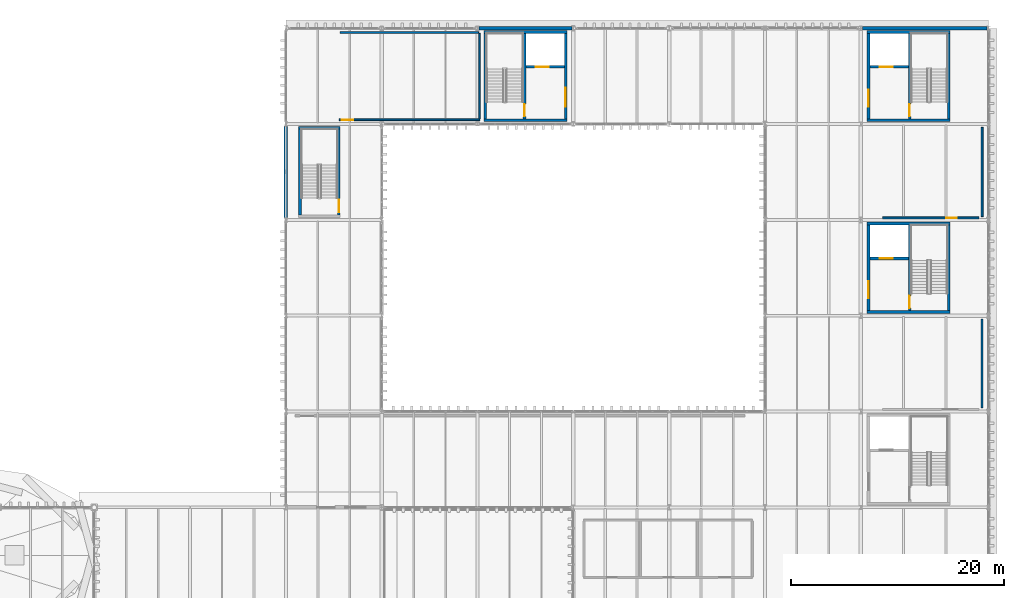
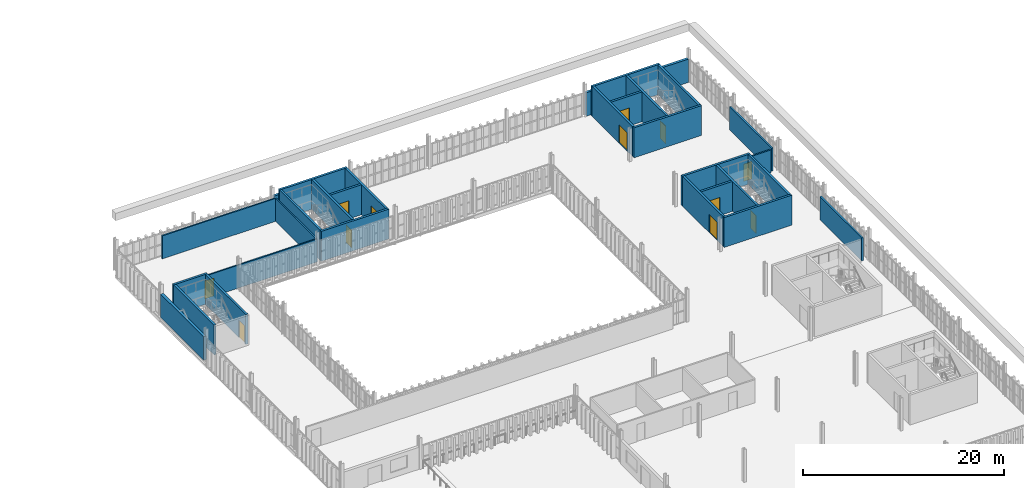
# One storey, part 91 of 102: 30 walls, 12 doors, 12 openings.
"""IFC4 building model written with IfcOpenShell, lengths in metres."""

from ifc_helpers import new_model, si_unit, direction, frame, frame_2d, origin, place, context, subcontext, project, spatial, rectangle, extrude, material, layer, layer_set, type_object, element, fill, save


model = new_model("IFC4")

# Units and contexts
model_context = context("Model", 3, precision=1e-05, world=origin(), true_north=direction((0.0, 1.0)))
body_context = subcontext(model_context, "Body", "Model", "MODEL_VIEW")
ifc_project = project(units=[si_unit("LENGTHUNIT", "METRE"), si_unit("AREAUNIT", "SQUARE_METRE"), si_unit("VOLUMEUNIT", "CUBIC_METRE"), si_unit("PLANEANGLEUNIT", "RADIAN"), si_unit("MASSUNIT", "GRAM", prefix="KILO")], contexts=[model_context])

# Site, building, storey
site_placement = place(None, origin())
site = spatial("IfcSite", under=ifc_project, at=site_placement, CompositionType="ELEMENT")
building_placement = place(site_placement, origin())
building = spatial("IfcBuilding", under=site, at=building_placement, Name="Barlavento Convention Centre", CompositionType="ELEMENT")
storey_placement = place(building_placement, frame((0.0, 0.0, 22.800048828125)))
storey = spatial("IfcBuildingStorey", under=building, at=storey_placement, Name="L04", CompositionType="ELEMENT", Elevation=22.800048828125)

# Wall, opening, door
ifc_material_1 = material(Name="Acoustic double stud and gypsum board")
ifc_layer_1 = layer(ifc_material_1, 0.18505859375)
ifc_layer_set_1 = layer_set([ifc_layer_1], Name="ARC-WL-ACOU-185")
wall_type_1 = type_object("IfcWallType", Name="ARC-WL-ACOU-185", PredefinedType="PARTITIONING", material=ifc_layer_set_1)
wall_1_placement = place(storey_placement, frame((182.06005859375, 81.199951171875, 0.0), z_axis=(0.0, 0.0, 1.0), x_axis=(1.0, 0.0, 0.0)))
wall_1 = element("IfcWall", 1, at=wall_1_placement, inside=storey, type_object=wall_type_1, Name="L04 interior wall PT-01", PredefinedType="PARTITIONING", context=body_context, shape_type="SweptSolid", body=[
    extrude(rectangle(XDim=9.0400390625, YDim=0.18505859375, at=frame_2d((4.52001953125, 0.0))), origin(), (0.0, 0.0, 1.0), 2.800048828125),
])
opening_1_placement = place(wall_1_placement, frame((5.949951171875, 0.0, 0.0)))
opening_1 = element("IfcOpeningElement", 2, at=opening_1_placement, cuts=wall_1, Name="Opening ID-08", PredefinedType="OPENING", context=body_context, shape_type="SweptSolid", body=[
    extrude(rectangle(XDim=0.97998046875, YDim=2.1201171875, at=frame_2d((0.489990234375, 1.06005859375))), frame((0.0, 0.1025390625, 0.0), z_axis=(0.0, -1.0, 0.0), x_axis=(1.0, 0.0, 0.0)), (0.0, 0.0, 1.0), 0.205078125),
])
ifc_material_2 = material(Name="Timber veneer acoustic core", Category="wood")
door_type_1 = type_object("IfcDoorType", Name="ARC-DR-ROOM-980X2120", OperationType="NOTDEFINED", PredefinedType="DOOR", material=ifc_material_2)
door_1_placement = place(opening_1_placement, origin())
door_1 = element("IfcDoor", 3, at=door_1_placement, inside=storey, type_object=door_type_1, Name="DR-INT-L04-0241 L04 interior door ID-08", OperationType="SINGLE_SWING_LEFT", OverallHeight=2.1201171875, OverallWidth=0.97998046875, PredefinedType="DOOR", context=body_context, shape_type="SweptSolid", body=[
    extrude(rectangle(XDim=0.97998046875, YDim=2.1201171875, at=frame_2d((0.489990234375, 1.06005859375))), frame((0.0, 0.02490234375, 0.0), z_axis=(0.0, -1.0, 0.0), x_axis=(1.0, 0.0, 0.0)), (0.0, 0.0, 1.0), 0.050048828125),
])
fill(opening_1, door_1)

# Walls
wall_2_placement = place(storey_placement, frame((191.39990234375, 81.31103515625, 0.0), z_axis=(0.0, 0.0, 1.0), x_axis=(0.0, 1.0, 0.0)))
element("IfcWall", 4, at=wall_2_placement, inside=storey, type_object=wall_type_1, Name="L04 interior wall PT-01", PredefinedType="PARTITIONING", context=body_context, shape_type="SweptSolid", body=[
    extrude(rectangle(XDim=8.3779296875, YDim=0.18505859375, at=frame_2d((4.18896484375, 0.0))), origin(), (0.0, 0.0, 1.0), 2.800048828125),
])
ifc_material_3 = material(Name="Glazed white architectural terracotta on Concrete C40/50", Category="masonry")
ifc_layer_2 = layer(ifc_material_3, 0.2900390625)
ifc_layer_set_2 = layer_set([ifc_layer_2], Name="ARC-WL-EXT-290")
wall_type_2 = type_object("IfcWallType", Name="ARC-WL-EXT-290", PredefinedType="SOLIDWALL", material=ifc_layer_set_2)
wall_3_placement = place(storey_placement, frame((144.14501953125, 99.0, 0.0), z_axis=(0.0, 0.0, 1.0), x_axis=(1.0, 0.0, 0.0)))
element("IfcWall", 5, at=wall_3_placement, inside=storey, type_object=wall_type_2, Name="L04 exterior wall EW02", PredefinedType="SOLIDWALL", context=body_context, shape_type="SweptSolid", body=[
    extrude(rectangle(XDim=8.7099609375, YDim=0.2900390625, at=frame_2d((4.35498046875, 0.0))), origin(), (0.0, 0.0, 1.0), 2.849853515625),
])
wall_4_placement = place(storey_placement, frame((180.14501953125, 99.0, 0.0), z_axis=(0.0, 0.0, 1.0), x_axis=(1.0, 0.0, 0.0)))
element("IfcWall", 6, at=wall_4_placement, inside=storey, type_object=wall_type_2, Name="L04 exterior wall EW02", PredefinedType="SOLIDWALL", context=body_context, shape_type="SweptSolid", body=[
    extrude(rectangle(XDim=11.7099609375, YDim=0.2900390625, at=frame_2d((5.85498046875, 0.0))), origin(), (0.0, 0.0, 1.0), 2.849853515625),
])
ifc_material_4 = material(Name="Macau dark grey granite cladding on Concrete C40/50", Category="masonry")
ifc_layer_3 = layer(ifc_material_4, 0.320068359375)
ifc_layer_set_3 = layer_set([ifc_layer_3], Name="ARC-WL-EXT-320")
wall_type_3 = type_object("IfcWallType", Name="ARC-WL-EXT-320", PredefinedType="SOLIDWALL", material=ifc_layer_set_3)
wall_5_placement = place(storey_placement, frame((126.0, 81.195068359375, 0.0), z_axis=(0.0, 0.0, 1.0), x_axis=(0.0, 1.0, 0.0)))
element("IfcWall", 7, at=wall_5_placement, inside=storey, type_object=wall_type_3, Name="L04 exterior wall EW01", PredefinedType="SOLIDWALL", context=body_context, shape_type="SweptSolid", body=[
    extrude(rectangle(XDim=8.5849609375, YDim=0.320068359375, at=frame_2d((4.29248046875, 0.0))), origin(), (0.0, 0.0, 1.0), 2.849853515625),
])
ifc_material_5 = material(Name="Concrete C40/50", Category="concrete")
ifc_layer_4 = layer(ifc_material_5, 0.199951171875)
ifc_layer_set_4 = layer_set([ifc_layer_4], Name="ARC-WL-FIRE-200")
wall_type_4 = type_object("IfcWallType", Name="ARC-WL-FIRE-200", PredefinedType="SOLIDWALL", material=ifc_layer_set_4)
wall_6_placement = place(storey_placement, frame((191.39990234375, 63.320068359375, 0.0), z_axis=(0.0, 0.0, 1.0), x_axis=(0.0, 1.0, 0.0)))
element("IfcWall", 8, at=wall_6_placement, inside=storey, type_object=wall_type_4, Name="L04 interior wall FW-01", PredefinedType="SOLIDWALL", context=body_context, shape_type="SweptSolid", body=[
    extrude(rectangle(XDim=8.35986328125, YDim=0.199951171875, at=frame_2d((4.179931640625, 0.0))), origin(), (0.0, 0.0, 1.0), 2.800048828125),
])

# Wall, opening, door
ifc_material_6 = material(Name="Metal stud acoustic partition")
ifc_layer_5 = layer(ifc_material_6, 0.155029296875)
ifc_layer_set_5 = layer_set([ifc_layer_5], Name="ARC-WL-PART-155")
wall_type_5 = type_object("IfcWallType", Name="ARC-WL-PART-155", PredefinedType="PARTITIONING", material=ifc_layer_set_5)
wall_7_placement = place(storey_placement, frame((131.0, 90.39990234375, 0.0), z_axis=(0.0, 0.0, 1.0), x_axis=(1.0, 0.0, 0.0)))
wall_7 = element("IfcWall", 9, at=wall_7_placement, inside=storey, type_object=wall_type_5, Name="L04 interior wall PT-03", PredefinedType="PARTITIONING", context=body_context, shape_type="SweptSolid", body=[
    extrude(rectangle(XDim=13.199951171875, YDim=0.155029296875, at=frame_2d((6.60009765625, 0.0))), origin(), (0.0, 0.0, 1.0), 2.800048828125),
])
opening_2_placement = place(wall_7_placement, frame((0.25, 0.0, 0.0)))
opening_2 = element("IfcOpeningElement", 10, at=opening_2_placement, cuts=wall_7, Name="Opening ID-06", PredefinedType="OPENING", context=body_context, shape_type="SweptSolid", body=[
    extrude(rectangle(XDim=1.080078125, YDim=2.179931640625, at=frame_2d((0.5400390625, 1.08984375))), frame((0.0, 0.08740234375, 0.0), z_axis=(0.0, -1.0, 0.0), x_axis=(1.0, 0.0, 0.0)), (0.0, 0.0, 1.0), 0.175048828125),
])
door_type_2 = type_object("IfcDoorType", Name="ARC-DR-ROOM-1080X2180", OperationType="NOTDEFINED", PredefinedType="DOOR", material=ifc_material_2)
door_2_placement = place(opening_2_placement, origin())
door_2 = element("IfcDoor", 11, at=door_2_placement, inside=storey, type_object=door_type_2, Name="DR-INT-L04-0239 L04 interior door ID-06", OperationType="SINGLE_SWING_RIGHT", OverallHeight=2.179931640625, OverallWidth=1.080078125, PredefinedType="DOOR", context=body_context, shape_type="SweptSolid", body=[
    extrude(rectangle(XDim=1.080078125, YDim=2.179931640625, at=frame_2d((0.5400390625, 1.08984375))), frame((0.0, 0.02490234375, 0.0), z_axis=(0.0, -1.0, 0.0), x_axis=(1.0, 0.0, 0.0)), (0.0, 0.0, 1.0), 0.050048828125),
])
fill(opening_2, door_2)

# Walls
wall_8_placement = place(storey_placement, frame((131.093017578125, 98.60009765625, 0.0), z_axis=(0.0, 0.0, 1.0), x_axis=(1.0, 0.0, 0.0)))
element("IfcWall", 12, at=wall_8_placement, inside=storey, type_object=wall_type_5, Name="L04 interior wall PT-03", PredefinedType="PARTITIONING", context=body_context, shape_type="SweptSolid", body=[
    extrude(rectangle(XDim=13.013916015625, YDim=0.155029296875, at=frame_2d((6.5068359375, 0.0))), origin(), (0.0, 0.0, 1.0), 2.800048828125),
])
wall_9_placement = place(storey_placement, frame((144.199951171875, 90.492919921875, 0.0), z_axis=(0.0, 0.0, 1.0), x_axis=(0.0, 1.0, 0.0)))
element("IfcWall", 13, at=wall_9_placement, inside=storey, type_object=wall_type_5, Name="L04 interior wall PT-03", PredefinedType="PARTITIONING", context=body_context, shape_type="SweptSolid", body=[
    extrude(rectangle(XDim=8.01416015625, YDim=0.155029296875, at=frame_2d((4.007080078125, 0.0))), origin(), (0.0, 0.0, 1.0), 2.800048828125),
])

# Wall, opening, door
ifc_material_7 = material(Name="Concrete C50/60", Category="concrete")
ifc_layer_6 = layer(ifc_material_7, 0.25)
ifc_layer_set_6 = layer_set([ifc_layer_6], Name="STR-WL-CORE-250")
wall_type_6 = type_object("IfcWallType", Name="STR-WL-CORE-250", PredefinedType="SHEAR", material=ifc_layer_set_6)
wall_10_placement = place(storey_placement, frame((180.72509765625, 72.469970703125, 0.0), z_axis=(0.0, 0.0, 1.0), x_axis=(0.0, 1.0, 0.0)))
wall_10 = element("IfcWall", 14, at=wall_10_placement, inside=storey, type_object=wall_type_6, Name="L04 interior wall CW-02", PredefinedType="SHEAR", context=body_context, shape_type="SweptSolid", body=[
    extrude(rectangle(XDim=8.06005859375, YDim=0.25, at=frame_2d((4.030029296875, 0.0))), origin(), (0.0, 0.0, 1.0), 3.639892578125),
])
opening_3_placement = place(wall_10_placement, frame((1.14990234375, 0.0, 0.0)))
opening_3 = element("IfcOpeningElement", 15, at=opening_3_placement, cuts=wall_10, Name="Opening FD-02", PredefinedType="OPENING", context=body_context, shape_type="SweptSolid", body=[
    extrude(rectangle(XDim=1.60009765625, YDim=2.199951171875, at=frame_2d((0.800048828125, 1.10009765625))), frame((0.0, 0.135009765625, 0.0), z_axis=(0.0, -1.0, 0.0), x_axis=(1.0, 0.0, 0.0)), (0.0, 0.0, 1.0), 0.27001953125),
])
ifc_material_8 = material(Name="Painted galvanized steel", Category="steel")
door_type_3 = type_object("IfcDoorType", Name="ARC-DR-FIRE-1600X2200", OperationType="DOUBLE_DOOR_SINGLE_SWING", PredefinedType="DOOR", material=ifc_material_8)
door_3_placement = place(opening_3_placement, origin())
door_3 = element("IfcDoor", 16, at=door_3_placement, inside=storey, type_object=door_type_3, Name="DR-INT-L04-0114 L04 LP5 lobby fire door", OperationType="DOUBLE_DOOR_SINGLE_SWING", OverallHeight=2.199951171875, OverallWidth=1.60009765625, PredefinedType="DOOR", context=body_context, shape_type="SweptSolid", body=[
    extrude(rectangle(XDim=1.60009765625, YDim=2.199951171875, at=frame_2d((0.800048828125, 1.10009765625))), frame((0.0, 0.02490234375, 0.0), z_axis=(0.0, -1.0, 0.0), x_axis=(1.0, 0.0, 0.0)), (0.0, 0.0, 1.0), 0.050048828125),
])
fill(opening_3, door_3)

# Walls
wall_11_placement = place(storey_placement, frame((188.27490234375, 72.469970703125, 0.0), z_axis=(0.0, 0.0, 1.0), x_axis=(0.0, 1.0, 0.0)))
element("IfcWall", 17, at=wall_11_placement, inside=storey, type_object=wall_type_6, Name="L04 interior wall CW-02", PredefinedType="SHEAR", context=body_context, shape_type="SweptSolid", body=[
    extrude(rectangle(XDim=8.06005859375, YDim=0.25, at=frame_2d((4.030029296875, 0.0))), origin(), (0.0, 0.0, 1.0), 3.639892578125),
])
for number, where, z_axis, x_axis, name in (
    (18, (180.60009765625, 72.344970703125, 0.0), (0.0, 0.0, 1.0), (1.0, 0.0, 0.0), "L04 interior wall CW-02"),
    (19, (180.60009765625, 80.655029296875, 0.0), (0.0, 0.0, 1.0), (1.0, 0.0, 0.0), "L04 interior wall CW-02"),
):
    element("IfcWall", number, at=place(storey_placement, frame(where, z_axis=z_axis, x_axis=x_axis)), inside=storey, type_object=wall_type_6, Name=name, PredefinedType="SHEAR", context=body_context, shape_type="SweptSolid", body=[
        extrude(rectangle(XDim=7.7998046875, YDim=0.25, at=frame_2d((3.89990234375, 0.0))), origin(), (0.0, 0.0, 1.0), 3.639892578125),
    ])

# Wall, opening, door
wall_12_placement = place(storey_placement, frame((184.5849609375, 72.469970703125, 0.0), z_axis=(0.0, 0.0, 1.0), x_axis=(0.0, 1.0, 0.0)))
wall_12 = element("IfcWall", 20, at=wall_12_placement, inside=storey, type_object=wall_type_6, Name="L04 interior wall CW-02", PredefinedType="SHEAR", context=body_context, shape_type="SweptSolid", body=[
    extrude(rectangle(XDim=8.06005859375, YDim=0.25, at=frame_2d((4.030029296875, 0.0))), origin(), (0.0, 0.0, 1.0), 3.639892578125),
])
opening_4_placement = place(wall_12_placement, frame((0.25, 0.0, 0.0)))
opening_4 = element("IfcOpeningElement", 21, at=opening_4_placement, cuts=wall_12, Name="Opening FD-03", PredefinedType="OPENING", context=body_context, shape_type="SweptSolid", body=[
    extrude(rectangle(XDim=1.14990234375, YDim=2.14990234375, at=frame_2d((0.574951171875, 1.074951171875))), frame((0.0, 0.135009765625, 0.0), z_axis=(0.0, -1.0, 0.0), x_axis=(1.0, 0.0, 0.0)), (0.0, 0.0, 1.0), 0.27001953125),
])
door_type_4 = type_object("IfcDoorType", Name="ARC-DR-FIRE-1150X2150", OperationType="NOTDEFINED", PredefinedType="DOOR", material=ifc_material_8)
door_4_placement = place(opening_4_placement, origin())
door_4 = element("IfcDoor", 22, at=door_4_placement, inside=storey, type_object=door_type_4, Name="DR-INT-L04-0112 L04 ST07 stair fire door FD-03", OperationType="SINGLE_SWING_RIGHT", OverallHeight=2.14990234375, OverallWidth=1.14990234375, PredefinedType="DOOR", context=body_context, shape_type="SweptSolid", body=[
    extrude(rectangle(XDim=1.14990234375, YDim=2.14990234375, at=frame_2d((0.574951171875, 1.074951171875))), frame((0.0, 0.02490234375, 0.0), z_axis=(0.0, -1.0, 0.0), x_axis=(1.0, 0.0, 0.0)), (0.0, 0.0, 1.0), 0.050048828125),
])
fill(opening_4, door_4)

wall_13_placement = place(storey_placement, frame((180.85009765625, 77.3701171875, 0.0), z_axis=(0.0, 0.0, 1.0), x_axis=(1.0, 0.0, 0.0)))
wall_13 = element("IfcWall", 23, at=wall_13_placement, inside=storey, type_object=wall_type_6, Name="L04 interior wall CW-02", PredefinedType="SHEAR", context=body_context, shape_type="SweptSolid", body=[
    extrude(rectangle(XDim=3.60986328125, YDim=0.25, at=frame_2d((1.804931640625, 0.0))), origin(), (0.0, 0.0, 1.0), 3.639892578125),
])
opening_5_placement = place(wall_13_placement, frame((0.949951171875, 0.0, 0.0)))
opening_5 = element("IfcOpeningElement", 24, at=opening_5_placement, cuts=wall_13, Name="Opening LD-01", PredefinedType="OPENING", context=body_context, shape_type="SweptSolid", body=[
    extrude(rectangle(XDim=1.199951171875, YDim=2.199951171875, at=frame_2d((0.60009765625, 1.10009765625))), frame((0.0, 0.135009765625, 0.0), z_axis=(0.0, -1.0, 0.0), x_axis=(1.0, 0.0, 0.0)), (0.0, 0.0, 1.0), 0.27001953125),
])
ifc_material_9 = material(Name="Brushed stainless steel", Category="steel")
door_type_5 = type_object("IfcDoorType", Name="ARC-DR-LIFT-1200X2200", OperationType="DOUBLE_DOOR_SLIDING", PredefinedType="DOOR", material=ifc_material_9)
door_5_placement = place(opening_5_placement, origin())
door_5 = element("IfcDoor", 25, at=door_5_placement, inside=storey, type_object=door_type_5, Name="DR-INT-L04-0113 LP5 lift sliding landing door", OperationType="DOUBLE_DOOR_SLIDING", OverallHeight=2.199951171875, OverallWidth=1.199951171875, PredefinedType="DOOR", context=body_context, shape_type="SweptSolid", body=[
    extrude(rectangle(XDim=1.199951171875, YDim=2.199951171875, at=frame_2d((0.60009765625, 1.10009765625))), frame((0.0, 0.02490234375, 0.0), z_axis=(0.0, -1.0, 0.0), x_axis=(1.0, 0.0, 0.0)), (0.0, 0.0, 1.0), 0.050048828125),
])
fill(opening_5, door_5)

wall_14_placement = place(storey_placement, frame((180.72509765625, 90.469970703125, 0.0), z_axis=(0.0, 0.0, 1.0), x_axis=(0.0, 1.0, 0.0)))
wall_14 = element("IfcWall", 26, at=wall_14_placement, inside=storey, type_object=wall_type_6, Name="L04 interior wall CW-02", PredefinedType="SHEAR", context=body_context, shape_type="SweptSolid", body=[
    extrude(rectangle(XDim=8.06005859375, YDim=0.25, at=frame_2d((4.030029296875, 0.0))), origin(), (0.0, 0.0, 1.0), 3.639892578125),
])
opening_6_placement = place(wall_14_placement, frame((1.14990234375, 0.0, 0.0)))
opening_6 = element("IfcOpeningElement", 27, at=opening_6_placement, cuts=wall_14, Name="Opening FD-02", PredefinedType="OPENING", context=body_context, shape_type="SweptSolid", body=[
    extrude(rectangle(XDim=1.60009765625, YDim=2.199951171875, at=frame_2d((0.800048828125, 1.10009765625))), frame((0.0, 0.135009765625, 0.0), z_axis=(0.0, -1.0, 0.0), x_axis=(1.0, 0.0, 0.0)), (0.0, 0.0, 1.0), 0.27001953125),
])
door_6_placement = place(opening_6_placement, origin())
door_6 = element("IfcDoor", 28, at=door_6_placement, inside=storey, type_object=door_type_3, Name="DR-INT-L04-0135 L04 LP6 lobby fire door", OperationType="DOUBLE_DOOR_SINGLE_SWING", OverallHeight=2.199951171875, OverallWidth=1.60009765625, PredefinedType="DOOR", context=body_context, shape_type="SweptSolid", body=[
    extrude(rectangle(XDim=1.60009765625, YDim=2.199951171875, at=frame_2d((0.800048828125, 1.10009765625))), frame((0.0, 0.02490234375, 0.0), z_axis=(0.0, -1.0, 0.0), x_axis=(1.0, 0.0, 0.0)), (0.0, 0.0, 1.0), 0.050048828125),
])
fill(opening_6, door_6)

# Walls
wall_15_placement = place(storey_placement, frame((188.27490234375, 90.469970703125, 0.0), z_axis=(0.0, 0.0, 1.0), x_axis=(0.0, 1.0, 0.0)))
element("IfcWall", 29, at=wall_15_placement, inside=storey, type_object=wall_type_6, Name="L04 interior wall CW-02", PredefinedType="SHEAR", context=body_context, shape_type="SweptSolid", body=[
    extrude(rectangle(XDim=8.06005859375, YDim=0.25, at=frame_2d((4.030029296875, 0.0))), origin(), (0.0, 0.0, 1.0), 3.639892578125),
])
for number, where, z_axis, x_axis, name in (
    (30, (180.60009765625, 90.344970703125, 0.0), (0.0, 0.0, 1.0), (1.0, 0.0, 0.0), "L04 interior wall CW-02"),
    (31, (180.60009765625, 98.655029296875, 0.0), (0.0, 0.0, 1.0), (1.0, 0.0, 0.0), "L04 interior wall CW-02"),
):
    element("IfcWall", number, at=place(storey_placement, frame(where, z_axis=z_axis, x_axis=x_axis)), inside=storey, type_object=wall_type_6, Name=name, PredefinedType="SHEAR", context=body_context, shape_type="SweptSolid", body=[
        extrude(rectangle(XDim=7.7998046875, YDim=0.25, at=frame_2d((3.89990234375, 0.0))), origin(), (0.0, 0.0, 1.0), 3.639892578125),
    ])

# Wall, opening, door
wall_16_placement = place(storey_placement, frame((184.5849609375, 90.469970703125, 0.0), z_axis=(0.0, 0.0, 1.0), x_axis=(0.0, 1.0, 0.0)))
wall_16 = element("IfcWall", 32, at=wall_16_placement, inside=storey, type_object=wall_type_6, Name="L04 interior wall CW-02", PredefinedType="SHEAR", context=body_context, shape_type="SweptSolid", body=[
    extrude(rectangle(XDim=8.06005859375, YDim=0.25, at=frame_2d((4.030029296875, 0.0))), origin(), (0.0, 0.0, 1.0), 3.639892578125),
])
opening_7_placement = place(wall_16_placement, frame((0.25, 0.0, 0.0)))
opening_7 = element("IfcOpeningElement", 33, at=opening_7_placement, cuts=wall_16, Name="Opening FD-03", PredefinedType="OPENING", context=body_context, shape_type="SweptSolid", body=[
    extrude(rectangle(XDim=1.14990234375, YDim=2.14990234375, at=frame_2d((0.574951171875, 1.074951171875))), frame((0.0, 0.135009765625, 0.0), z_axis=(0.0, -1.0, 0.0), x_axis=(1.0, 0.0, 0.0)), (0.0, 0.0, 1.0), 0.27001953125),
])
door_7_placement = place(opening_7_placement, origin())
door_7 = element("IfcDoor", 34, at=door_7_placement, inside=storey, type_object=door_type_4, Name="DR-INT-L04-0133 L04 ST08 stair fire door FD-03", OperationType="SINGLE_SWING_LEFT", OverallHeight=2.14990234375, OverallWidth=1.14990234375, PredefinedType="DOOR", context=body_context, shape_type="SweptSolid", body=[
    extrude(rectangle(XDim=1.14990234375, YDim=2.14990234375, at=frame_2d((0.574951171875, 1.074951171875))), frame((0.0, 0.02490234375, 0.0), z_axis=(0.0, -1.0, 0.0), x_axis=(1.0, 0.0, 0.0)), (0.0, 0.0, 1.0), 0.050048828125),
])
fill(opening_7, door_7)

wall_17_placement = place(storey_placement, frame((180.85009765625, 95.3701171875, 0.0), z_axis=(0.0, 0.0, 1.0), x_axis=(1.0, 0.0, 0.0)))
wall_17 = element("IfcWall", 35, at=wall_17_placement, inside=storey, type_object=wall_type_6, Name="L04 interior wall CW-02", PredefinedType="SHEAR", context=body_context, shape_type="SweptSolid", body=[
    extrude(rectangle(XDim=3.60986328125, YDim=0.25, at=frame_2d((1.804931640625, 0.0))), origin(), (0.0, 0.0, 1.0), 3.639892578125),
])
opening_8_placement = place(wall_17_placement, frame((0.949951171875, 0.0, 0.0)))
opening_8 = element("IfcOpeningElement", 36, at=opening_8_placement, cuts=wall_17, Name="Opening LD-01", PredefinedType="OPENING", context=body_context, shape_type="SweptSolid", body=[
    extrude(rectangle(XDim=1.199951171875, YDim=2.199951171875, at=frame_2d((0.60009765625, 1.10009765625))), frame((0.0, 0.135009765625, 0.0), z_axis=(0.0, -1.0, 0.0), x_axis=(1.0, 0.0, 0.0)), (0.0, 0.0, 1.0), 0.27001953125),
])
door_8_placement = place(opening_8_placement, origin())
door_8 = element("IfcDoor", 37, at=door_8_placement, inside=storey, type_object=door_type_5, Name="DR-INT-L04-0134 LP6 lift sliding landing door", OperationType="DOUBLE_DOOR_SLIDING", OverallHeight=2.199951171875, OverallWidth=1.199951171875, PredefinedType="DOOR", context=body_context, shape_type="SweptSolid", body=[
    extrude(rectangle(XDim=1.199951171875, YDim=2.199951171875, at=frame_2d((0.60009765625, 1.10009765625))), frame((0.0, 0.02490234375, 0.0), z_axis=(0.0, -1.0, 0.0), x_axis=(1.0, 0.0, 0.0)), (0.0, 0.0, 1.0), 0.050048828125),
])
fill(opening_8, door_8)

# Wall
wall_18_placement = place(storey_placement, frame((144.72509765625, 90.469970703125, 0.0), z_axis=(0.0, 0.0, 1.0), x_axis=(0.0, 1.0, 0.0)))
element("IfcWall", 38, at=wall_18_placement, inside=storey, type_object=wall_type_6, Name="L04 interior wall CW-02", PredefinedType="SHEAR", context=body_context, shape_type="SweptSolid", body=[
    extrude(rectangle(XDim=8.06005859375, YDim=0.25, at=frame_2d((4.030029296875, 0.0))), origin(), (0.0, 0.0, 1.0), 3.639892578125),
])

# Wall, opening, door
wall_19_placement = place(storey_placement, frame((152.27490234375, 90.469970703125, 0.0), z_axis=(0.0, 0.0, 1.0), x_axis=(0.0, 1.0, 0.0)))
wall_19 = element("IfcWall", 39, at=wall_19_placement, inside=storey, type_object=wall_type_6, Name="L04 interior wall CW-02", PredefinedType="SHEAR", context=body_context, shape_type="SweptSolid", body=[
    extrude(rectangle(XDim=8.06005859375, YDim=0.25, at=frame_2d((4.030029296875, 0.0))), origin(), (0.0, 0.0, 1.0), 3.639892578125),
])
opening_9_placement = place(wall_19_placement, frame((1.14990234375, 0.0, 0.0)))
opening_9 = element("IfcOpeningElement", 40, at=opening_9_placement, cuts=wall_19, Name="Opening FD-01", PredefinedType="OPENING", context=body_context, shape_type="SweptSolid", body=[
    extrude(rectangle(XDim=1.800048828125, YDim=2.199951171875, at=frame_2d((0.89990234375, 1.10009765625))), frame((0.0, 0.135009765625, 0.0), z_axis=(0.0, -1.0, 0.0), x_axis=(1.0, 0.0, 0.0)), (0.0, 0.0, 1.0), 0.27001953125),
])
door_type_6 = type_object("IfcDoorType", Name="ARC-DR-FIRE-1800X2200", OperationType="DOUBLE_DOOR_SINGLE_SWING", PredefinedType="DOOR", material=ifc_material_8)
door_9_placement = place(opening_9_placement, origin())
door_9 = element("IfcDoor", 41, at=door_9_placement, inside=storey, type_object=door_type_6, Name="DR-INT-L04-0156 L04 FL1 lobby fire door", OperationType="DOUBLE_DOOR_SINGLE_SWING", OverallHeight=2.199951171875, OverallWidth=1.800048828125, PredefinedType="DOOR", context=body_context, shape_type="SweptSolid", body=[
    extrude(rectangle(XDim=1.800048828125, YDim=2.199951171875, at=frame_2d((0.89990234375, 1.10009765625))), frame((0.0, 0.02490234375, 0.0), z_axis=(0.0, -1.0, 0.0), x_axis=(1.0, 0.0, 0.0)), (0.0, 0.0, 1.0), 0.050048828125),
])
fill(opening_9, door_9)

# Walls
for number, where, z_axis, x_axis, name in (
    (42, (144.60009765625, 90.344970703125, 0.0), (0.0, 0.0, 1.0), (1.0, 0.0, 0.0), "L04 interior wall CW-02"),
    (43, (144.60009765625, 98.655029296875, 0.0), (0.0, 0.0, 1.0), (1.0, 0.0, 0.0), "L04 interior wall CW-02"),
):
    element("IfcWall", number, at=place(storey_placement, frame(where, z_axis=z_axis, x_axis=x_axis)), inside=storey, type_object=wall_type_6, Name=name, PredefinedType="SHEAR", context=body_context, shape_type="SweptSolid", body=[
        extrude(rectangle(XDim=7.7998046875, YDim=0.25, at=frame_2d((3.89990234375, 0.0))), origin(), (0.0, 0.0, 1.0), 3.639892578125),
    ])

# Wall, opening, door
wall_20_placement = place(storey_placement, frame((148.4150390625, 90.469970703125, 0.0), z_axis=(0.0, 0.0, 1.0), x_axis=(0.0, 1.0, 0.0)))
wall_20 = element("IfcWall", 44, at=wall_20_placement, inside=storey, type_object=wall_type_6, Name="L04 interior wall CW-02", PredefinedType="SHEAR", context=body_context, shape_type="SweptSolid", body=[
    extrude(rectangle(XDim=8.06005859375, YDim=0.25, at=frame_2d((4.030029296875, 0.0))), origin(), (0.0, 0.0, 1.0), 3.639892578125),
])
opening_10_placement = place(wall_20_placement, frame((0.25, 0.0, 0.0)))
opening_10 = element("IfcOpeningElement", 45, at=opening_10_placement, cuts=wall_20, Name="Opening FD-03", PredefinedType="OPENING", context=body_context, shape_type="SweptSolid", body=[
    extrude(rectangle(XDim=1.14990234375, YDim=2.14990234375, at=frame_2d((0.574951171875, 1.074951171875))), frame((0.0, 0.135009765625, 0.0), z_axis=(0.0, -1.0, 0.0), x_axis=(1.0, 0.0, 0.0)), (0.0, 0.0, 1.0), 0.27001953125),
])
door_10_placement = place(opening_10_placement, origin())
door_10 = element("IfcDoor", 46, at=door_10_placement, inside=storey, type_object=door_type_4, Name="DR-INT-L04-0154 L04 ST09 stair fire door FD-03", OperationType="SINGLE_SWING_RIGHT", OverallHeight=2.14990234375, OverallWidth=1.14990234375, PredefinedType="DOOR", context=body_context, shape_type="SweptSolid", body=[
    extrude(rectangle(XDim=1.14990234375, YDim=2.14990234375, at=frame_2d((0.574951171875, 1.074951171875))), frame((0.0, 0.02490234375, 0.0), z_axis=(0.0, -1.0, 0.0), x_axis=(1.0, 0.0, 0.0)), (0.0, 0.0, 1.0), 0.050048828125),
])
fill(opening_10, door_10)

wall_21_placement = place(storey_placement, frame((148.5400390625, 95.3701171875, 0.0), z_axis=(0.0, 0.0, 1.0), x_axis=(1.0, 0.0, 0.0)))
wall_21 = element("IfcWall", 47, at=wall_21_placement, inside=storey, type_object=wall_type_6, Name="L04 interior wall CW-02", PredefinedType="SHEAR", context=body_context, shape_type="SweptSolid", body=[
    extrude(rectangle(XDim=3.60986328125, YDim=0.25, at=frame_2d((1.804931640625, 0.0))), origin(), (0.0, 0.0, 1.0), 3.639892578125),
])
opening_11_placement = place(wall_21_placement, frame((0.949951171875, 0.0, 0.0)))
opening_11 = element("IfcOpeningElement", 48, at=opening_11_placement, cuts=wall_21, Name="Opening LD-01", PredefinedType="OPENING", context=body_context, shape_type="SweptSolid", body=[
    extrude(rectangle(XDim=1.199951171875, YDim=2.199951171875, at=frame_2d((0.60009765625, 1.10009765625))), frame((0.0, 0.135009765625, 0.0), z_axis=(0.0, -1.0, 0.0), x_axis=(1.0, 0.0, 0.0)), (0.0, 0.0, 1.0), 0.27001953125),
])
door_11_placement = place(opening_11_placement, origin())
door_11 = element("IfcDoor", 49, at=door_11_placement, inside=storey, type_object=door_type_5, Name="DR-INT-L04-0155 FL1 lift sliding landing door", OperationType="DOUBLE_DOOR_SLIDING", OverallHeight=2.199951171875, OverallWidth=1.199951171875, PredefinedType="DOOR", context=body_context, shape_type="SweptSolid", body=[
    extrude(rectangle(XDim=1.199951171875, YDim=2.199951171875, at=frame_2d((0.60009765625, 1.10009765625))), frame((0.0, 0.02490234375, 0.0), z_axis=(0.0, -1.0, 0.0), x_axis=(1.0, 0.0, 0.0)), (0.0, 0.0, 1.0), 0.050048828125),
])
fill(opening_11, door_11)

# Wall
wall_22_placement = place(storey_placement, frame((127.324951171875, 81.469970703125, 0.0), z_axis=(0.0, 0.0, 1.0), x_axis=(0.0, 1.0, 0.0)))
element("IfcWall", 50, at=wall_22_placement, inside=storey, type_object=wall_type_6, Name="L04 interior wall CW-02", PredefinedType="SHEAR", context=body_context, shape_type="SweptSolid", body=[
    extrude(rectangle(XDim=8.06005859375, YDim=0.25, at=frame_2d((4.030029296875, 0.0))), origin(), (0.0, 0.0, 1.0), 3.639892578125),
])

# Wall, opening, door
wall_23_placement = place(storey_placement, frame((130.97509765625, 81.469970703125, 0.0), z_axis=(0.0, 0.0, 1.0), x_axis=(0.0, 1.0, 0.0)))
wall_23 = element("IfcWall", 51, at=wall_23_placement, inside=storey, type_object=wall_type_6, Name="L04 interior wall CW-02", PredefinedType="SHEAR", context=body_context, shape_type="SweptSolid", body=[
    extrude(rectangle(XDim=8.06005859375, YDim=0.25, at=frame_2d((4.030029296875, 0.0))), origin(), (0.0, 0.0, 1.0), 3.639892578125),
])
opening_12_placement = place(wall_23_placement, frame((0.25, 0.0, 0.0)))
opening_12 = element("IfcOpeningElement", 52, at=opening_12_placement, cuts=wall_23, Name="Opening FD-03", PredefinedType="OPENING", context=body_context, shape_type="SweptSolid", body=[
    extrude(rectangle(XDim=1.14990234375, YDim=2.14990234375, at=frame_2d((0.574951171875, 1.074951171875))), frame((0.0, 0.135009765625, 0.0), z_axis=(0.0, -1.0, 0.0), x_axis=(1.0, 0.0, 0.0)), (0.0, 0.0, 1.0), 0.27001953125),
])
door_12_placement = place(opening_12_placement, origin())
door_12 = element("IfcDoor", 53, at=door_12_placement, inside=storey, type_object=door_type_4, Name="DR-INT-L04-0175 L04 ST12 stair fire door FD-03", OperationType="SINGLE_SWING_LEFT", OverallHeight=2.14990234375, OverallWidth=1.14990234375, PredefinedType="DOOR", context=body_context, shape_type="SweptSolid", body=[
    extrude(rectangle(XDim=1.14990234375, YDim=2.14990234375, at=frame_2d((0.574951171875, 1.074951171875))), frame((0.0, 0.02490234375, 0.0), z_axis=(0.0, -1.0, 0.0), x_axis=(1.0, 0.0, 0.0)), (0.0, 0.0, 1.0), 0.050048828125),
])
fill(opening_12, door_12)

# Wall
wall_24_placement = place(storey_placement, frame((127.199951171875, 89.655029296875, 0.0), z_axis=(0.0, 0.0, 1.0), x_axis=(1.0, 0.0, 0.0)))
element("IfcWall", 54, at=wall_24_placement, inside=storey, type_object=wall_type_6, Name="L04 interior wall CW-02", PredefinedType="SHEAR", context=body_context, shape_type="SweptSolid", body=[
    extrude(rectangle(XDim=3.900146484375, YDim=0.25, at=frame_2d((1.9501953125, 0.0))), origin(), (0.0, 0.0, 1.0), 3.639892578125),
])

save(model, "model.ifc")
